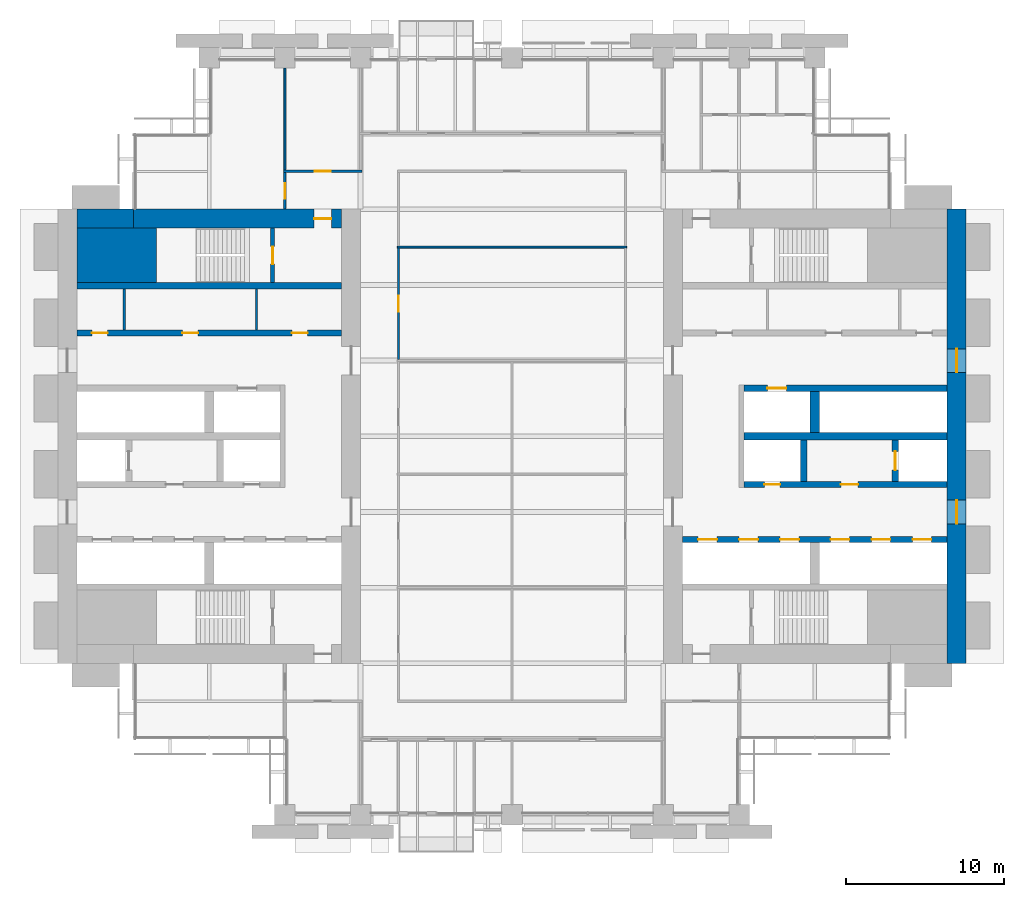
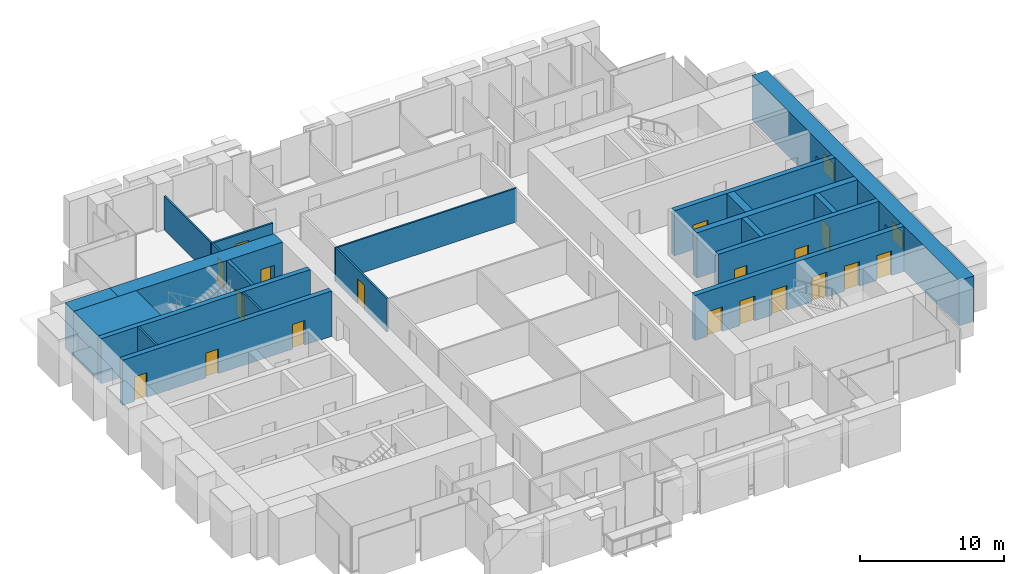
# One storey, part 11 of 15: 21 walls, 18 doors, 2 windows, 20 openings.
"""IFC4 building model written with IfcOpenShell, lengths in metres."""

import ifcopenshell
import ifcopenshell.guid

model = None  # the IFC model being written
_history = None  # IfcOwnerHistory: only IFC2X3 demands one
_inside = {}  # id of a spatial element -> (the spatial element, [elements in it])
_under = {}  # id of a project, library or spatial element -> (it, [spatial elements below it])
_declared = {}  # id of a project -> (the project, [libraries it declares])
_typed = {}  # id of a type object -> (the type object, [elements of that type])
_made_of = {}  # id of a material, layer set ... -> (it, [elements and type objects made of it])


def new_model(schema):
    """Start an empty IFC model of exactly this schema.

    Asked for "IFC4X3", IfcOpenShell would pick the latest addendum, in which some entities
    have other attributes; the version numbers below select the first issue.
    IFC2X3 requires an IfcOwnerHistory on every rooted entity: one is made here for all.
    """
    global model, _history
    if schema == "IFC4X3":
        model = ifcopenshell.file(schema_version=(4, 3, 0, 0))
    else:
        model = ifcopenshell.file(schema=schema)
    _inside.clear()
    _under.clear()
    _declared.clear()
    _typed.clear()
    _made_of.clear()
    _history = None
    if model.schema == "IFC2X3":
        org = make("IfcOrganization", Name="unknown")
        user = make(
            "IfcPersonAndOrganization",
            ThePerson=make("IfcPerson", FamilyName="unknown"),
            TheOrganization=org,
        )
        app = make(
            "IfcApplication",
            ApplicationDeveloper=org,
            Version="unknown",
            ApplicationFullName="unknown",
            ApplicationIdentifier="unknown",
        )
        _history = make(
            "IfcOwnerHistory",
            OwningUser=user,
            OwningApplication=app,
            ChangeAction="ADDED",
            CreationDate=0,
        )
    return model


def make(cls, **values):
    """One entity of the class cls with the attributes given. An attribute that is None is left unset."""
    return model.create_entity(
        cls, **{name: value for name, value in values.items() if value is not None}
    )


def rooted(cls, **values):
    """An entity with a GlobalId (a new one), such as an element, a storey or a relation."""
    return make(cls, GlobalId=ifcopenshell.guid.new(), OwnerHistory=_history, **values)


def si_unit(unit_type, name, prefix=None):
    """IfcSIUnit, for example si_unit("LENGTHUNIT", "METRE", prefix="MILLI")."""
    return make("IfcSIUnit", UnitType=unit_type, Prefix=prefix, Name=name)


def assignment(units):
    """IfcUnitAssignment: the units of a project."""
    return None if units is None else make("IfcUnitAssignment", Units=units)


def point(xyz):
    """IfcCartesianPoint."""
    return None if xyz is None else make("IfcCartesianPoint", Coordinates=xyz)


def direction(xyz):
    """IfcDirection."""
    return None if xyz is None else make("IfcDirection", DirectionRatios=xyz)


def frame(location, z_axis=None, x_axis=None):
    """IfcAxis2Placement3D, a coordinate frame: its origin and axes. An axis left out is left unset."""
    return make(
        "IfcAxis2Placement3D",
        Location=point(location),
        Axis=direction(z_axis),
        RefDirection=direction(x_axis),
    )


def frame_2d(location, x_axis=None):
    """IfcAxis2Placement2D, a coordinate frame in the plane: its origin and x axis."""
    return make(
        "IfcAxis2Placement2D", Location=point(location), RefDirection=direction(x_axis)
    )


def origin():
    """The frame at (0, 0, 0) with its axes left unset."""
    return frame((0.0, 0.0, 0.0))


def place(relative_to, where):
    """IfcLocalPlacement: puts the frame where relative to a parent placement (None: the world)."""
    return make(
        "IfcLocalPlacement", PlacementRelTo=relative_to, RelativePlacement=where
    )


def context(
    kind, dimensions, precision=None, world=None, true_north=None, identifier=None
):
    """IfcGeometricRepresentationContext, for example the 3D "Model" context."""
    return make(
        "IfcGeometricRepresentationContext",
        ContextIdentifier=identifier,
        ContextType=kind,
        CoordinateSpaceDimension=dimensions,
        Precision=precision,
        WorldCoordinateSystem=world,
        TrueNorth=true_north,
    )


def subcontext(parent, identifier, kind, view, scale=None):
    """IfcGeometricRepresentationSubContext, for example "Body" below "Model"."""
    return make(
        "IfcGeometricRepresentationSubContext",
        ContextIdentifier=identifier,
        ContextType=kind,
        ParentContext=parent,
        TargetScale=scale,
        TargetView=view,
    )


def project(units=None, contexts=None):
    """IfcProject with its units and contexts."""
    return rooted(
        "IfcProject",
        Name="project",
        RepresentationContexts=contexts,
        UnitsInContext=assignment(units),
    )


def spatial(cls, under=None, at=None, **own):
    """A site, building, storey or space (cls), placed at a placement, below another one or the project."""
    s = rooted(cls, ObjectPlacement=at, **own)
    if under is not None:
        _under.setdefault(under.id(), (under, []))[1].append(s)
    return s


def profile(cls, at=None, kind="AREA", **sizes):
    """A parametric profile (cls). Its sizes go by their IFC names, for example OverallWidth=200.0."""
    return make(cls, ProfileType=kind, Position=at, **sizes)


def rectangle(**sizes):
    """IfcRectangleProfileDef."""
    return profile("IfcRectangleProfileDef", **sizes)


def extrude(swept, where, along, depth):
    """IfcExtrudedAreaSolid: the profile swept, set in the frame where, extruded along a direction by depth."""
    return make(
        "IfcExtrudedAreaSolid",
        SweptArea=swept,
        Position=where,
        ExtrudedDirection=direction(along),
        Depth=depth,
    )


def shape(context_of_items, identifier, shape_type, items):
    """IfcShapeRepresentation: the items that make up one representation, for example the "Body"."""
    return make(
        "IfcShapeRepresentation",
        ContextOfItems=context_of_items,
        RepresentationIdentifier=identifier,
        RepresentationType=shape_type,
        Items=items,
    )


def material(Name=None, Category=None):
    """IfcMaterial."""
    return make("IfcMaterial", Name=Name, Category=Category)


def layer(
    of_material, thickness, ventilated=None, Name=None, Category=None, Priority=None
):
    """IfcMaterialLayer: one layer of a wall or slab, of a material (None: an air gap)."""
    return make(
        "IfcMaterialLayer",
        Material=of_material,
        LayerThickness=thickness,
        IsVentilated=ventilated,
        Name=Name,
        Category=Category,
        Priority=Priority,
    )


def layer_set(layers, Name=None):
    """IfcMaterialLayerSet."""
    return make("IfcMaterialLayerSet", MaterialLayers=layers, LayerSetName=Name)


def made_of(thing, what):
    """Note that an element or type object is made of a material, layer set ...; save() writes the relation."""
    if what is not None:
        _made_of.setdefault(what.id(), (what, []))[1].append(thing)
    return thing


def type_object(cls, material=None, **own):
    """A type object (cls), such as IfcWallType, which elements share."""
    return made_of(rooted(cls, **own), material)


def element(
    cls,
    number,
    at=None,
    inside=None,
    cuts=None,
    type_object=None,
    material=None,
    context=None,
    identifier="Body",
    shape_type=None,
    held_by="IfcProductDefinitionShape",
    body=None,
    shapes=None,
    **own,
):
    """One element of the class cls, such as IfcWall. Its Tag is "e" and its number.

    at: its placement. inside: the storey or other place that contains it. cuts: it is an
    opening in that element (IfcRelVoidsElement). A single representation is given by context,
    identifier, shape_type and body (its items); several are given by shapes. held_by: the class
    of the entity that holds the representations. save() writes the other relations.
    """
    e = rooted(cls, Tag="e%d" % number, ObjectPlacement=at, **own)
    if body is not None:
        shapes = [shape(context, identifier, shape_type, body)]
    if shapes is not None:
        e.Representation = make(held_by, Representations=shapes)
    if inside is not None:
        _inside.setdefault(inside.id(), (inside, []))[1].append(e)
    if cuts is not None:
        rooted(
            "IfcRelVoidsElement", RelatingBuildingElement=cuts, RelatedOpeningElement=e
        )
    if type_object is not None:
        _typed.setdefault(type_object.id(), (type_object, []))[1].append(e)
    return made_of(e, material)


def fill(opening, filler):
    """IfcRelFillsElement: the door or window that sits in an opening."""
    return rooted(
        "IfcRelFillsElement",
        RelatingOpeningElement=opening,
        RelatedBuildingElement=filler,
    )


def aggregate(whole, parts):
    """IfcRelAggregates: a whole, such as a stair, and the parts it consists of."""
    return rooted("IfcRelAggregates", RelatingObject=whole, RelatedObjects=parts)


def save(model, path):
    """Write the relations noted so far, then the file.

    IfcRelAggregates (storeys below a building ...), IfcRelContainedInSpatialStructure (elements
    in a storey), IfcRelDefinesByType, IfcRelAssociatesMaterial and IfcRelDeclares: one each for
    every whole, place, type object, material and project.
    """
    for whole, parts in _under.values():
        aggregate(whole, parts)
    for where, things in _inside.values():
        rooted(
            "IfcRelContainedInSpatialStructure",
            RelatedElements=things,
            RelatingStructure=where,
        )
    for kind, things in _typed.values():
        rooted("IfcRelDefinesByType", RelatedObjects=things, RelatingType=kind)
    for what, things in _made_of.values():
        rooted("IfcRelAssociatesMaterial", RelatedObjects=things, RelatingMaterial=what)
    for by, libraries in _declared.values():
        rooted("IfcRelDeclares", RelatingContext=by, RelatedDefinitions=libraries)
    model.write(path)


model = new_model("IFC4")

# Units and contexts
model_context = context("Model", 3, precision=1e-05, world=origin(), true_north=direction((0.0, 1.0)))
body_context = subcontext(model_context, "Body", "Model", "MODEL_VIEW")
ifc_project = project(units=[si_unit("LENGTHUNIT", "METRE"), si_unit("AREAUNIT", "SQUARE_METRE"), si_unit("VOLUMEUNIT", "CUBIC_METRE"), si_unit("PLANEANGLEUNIT", "RADIAN"), si_unit("MASSUNIT", "GRAM", prefix="KILO")], contexts=[model_context])

# Site, building, storey
site_placement = place(None, origin())
site = spatial("IfcSite", under=ifc_project, at=site_placement, CompositionType="ELEMENT")
building_placement = place(site_placement, origin())
building = spatial("IfcBuilding", under=site, at=building_placement, Name="Baori Bourse Tower", CompositionType="ELEMENT")
storey_placement = place(building_placement, frame((0.0, 0.0, 71.0)))
storey = spatial("IfcBuildingStorey", under=building, at=storey_placement, Name="L15", CompositionType="ELEMENT", Elevation=71.0)

# Walls
ifc_material_1 = material(Name="Concrete f'c 70 MPa", Category="concrete")
wall_type_1 = type_object("IfcWallType", Name="Core corner block f'c 70", PredefinedType="SHEAR", material=ifc_material_1)
wall_1_placement = place(storey_placement, frame((1.199951171875, 35.47509765625, 0.0), z_axis=(0.0, 0.0, 1.0), x_axis=(1.0, 0.0, 0.0)))
element("IfcWall", 1, at=wall_1_placement, inside=storey, type_object=wall_type_1, Name="Core wall W21", PredefinedType="SHEAR", context=body_context, shape_type="SweptSolid", body=[
    extrude(rectangle(XDim=5.050048828125, YDim=3.449951171875, at=frame_2d((2.52490234375, 0.0))), origin(), (0.0, 0.0, 1.0), 3.840087890625),
])
ifc_material_2 = material(Name="Blockwork partition", Category="masonry")
ifc_layer_1 = layer(ifc_material_2, 0.14990234375)
ifc_layer_set_1 = layer_set([ifc_layer_1], Name="Core partition 150")
wall_type_2 = type_object("IfcWallType", Name="Core partition 150", PredefinedType="PARTITIONING", material=ifc_layer_set_1)
for number, where, z_axis, x_axis, name in (
    (2, (4.199951171875, 30.75, 0.0), (0.0, 0.0, 1.0), (0.0, 1.0, 0.0), "Partition wall W18"),
    (3, (12.60009765625, 30.75, 0.0), (0.0, 0.0, 1.0), (0.0, 1.0, 0.0), "Partition wall W19"),
):
    element("IfcWall", number, at=place(storey_placement, frame(where, z_axis=z_axis, x_axis=x_axis)), inside=storey, type_object=wall_type_2, Name=name, PredefinedType="PARTITIONING", context=body_context, shape_type="SweptSolid", body=[
        extrude(rectangle(XDim=2.60009765625, YDim=0.14990234375, at=frame_2d((1.300048828125, 0.0))), origin(), (0.0, 0.0, 1.0), 3.840087890625),
    ])
ifc_material_3 = material(Name="Concrete f'c 70 MPa", Category="concrete")
ifc_layer_2 = layer(ifc_material_3, 1.199951171875)
ifc_layer_set_2 = layer_set([ifc_layer_2], Name="Core wall 1200 f'c 70")
wall_type_3 = type_object("IfcWallType", Name="Core wall 1200 f'c 70", PredefinedType="SHEAR", material=ifc_layer_set_2)
wall_2_placement = place(storey_placement, frame((1.199951171875, 37.800048828125, 0.0), z_axis=(0.0, 0.0, 1.0), x_axis=(1.0, 0.0, 0.0)))
element("IfcWall", 4, at=wall_2_placement, inside=storey, type_object=wall_type_3, Name="Core wall W23", PredefinedType="SHEAR", context=body_context, shape_type="SweptSolid", body=[
    extrude(rectangle(XDim=3.60009765625, YDim=1.199951171875, at=frame_2d((1.800048828125, 0.0))), origin(), (0.0, 0.0, 1.0), 3.840087890625),
])

# Wall, opening, door
wall_3_placement = place(storey_placement, frame((4.800048828125, 37.800048828125, 0.0), z_axis=(0.0, 0.0, 1.0), x_axis=(1.0, 0.0, 0.0)))
wall_3 = element("IfcWall", 5, at=wall_3_placement, inside=storey, type_object=wall_type_3, Name="Core wall W24", PredefinedType="SHEAR", context=body_context, shape_type="SweptSolid", body=[
    extrude(rectangle(XDim=13.199951171875, YDim=1.199951171875, at=frame_2d((6.60009765625, 0.0))), origin(), (0.0, 0.0, 1.0), 3.840087890625),
])
opening_1_placement = place(wall_3_placement, frame((11.449951171875, 0.0, 0.0)))
opening_1 = element("IfcOpeningElement", 6, at=opening_1_placement, cuts=wall_3, Name="Opening L15-D104", PredefinedType="OPENING", context=body_context, shape_type="SweptSolid", body=[
    extrude(rectangle(XDim=1.10009765625, YDim=2.10009765625, at=frame_2d((0.550048828125, 1.050048828125))), frame((0.0, 0.60986328125, 0.0), z_axis=(0.0, -1.0, 0.0), x_axis=(1.0, 0.0, 0.0)), (0.0, 0.0, 1.0), 1.219970703125),
])
ifc_material_4 = material(Name="Painted steel door", Category="steel")
door_type_1 = type_object("IfcDoorType", Name="Stair door 1100", OperationType="SINGLE_SWING_LEFT", PredefinedType="DOOR", material=ifc_material_4)
door_1_placement = place(opening_1_placement, origin())
door_1 = element("IfcDoor", 7, at=door_1_placement, inside=storey, type_object=door_type_1, Name="Stair vestibule door B W L15", OperationType="SINGLE_SWING_LEFT", OverallHeight=2.10009765625, OverallWidth=1.10009765625, PredefinedType="DOOR", context=body_context, shape_type="SweptSolid", body=[
    extrude(rectangle(XDim=1.10009765625, YDim=2.10009765625, at=frame_2d((0.550048828125, 1.050048828125))), frame((0.0, 0.02490234375, 0.0), z_axis=(0.0, -1.0, 0.0), x_axis=(1.0, 0.0, 0.0)), (0.0, 0.0, 1.0), 0.050048828125),
])
fill(opening_1, door_1)

# Wall, openings, windows
wall_4_placement = place(storey_placement, frame((57.0, 38.39990234375, 0.0), z_axis=(0.0, 0.0, 1.0), x_axis=(0.0, -1.0, 0.0)))
wall_4 = element("IfcWall", 8, at=wall_4_placement, inside=storey, type_object=wall_type_3, Name="Core wall E01", PredefinedType="SHEAR", context=body_context, shape_type="SweptSolid", body=[
    extrude(rectangle(XDim=28.7998046875, YDim=1.199951171875, at=frame_2d((14.39990234375, 0.0))), origin(), (0.0, 0.0, 1.0), 3.840087890625),
])
opening_2_placement = place(wall_4_placement, frame((18.449951171875, 0.0, 0.89990234375)))
opening_2 = element("IfcOpeningElement", 9, at=opening_2_placement, cuts=wall_4, Name="Opening L15-KW201", PredefinedType="OPENING", context=body_context, shape_type="SweptSolid", body=[
    extrude(rectangle(XDim=1.5, YDim=1.5, at=frame_2d((0.75, 0.75))), frame((0.0, 0.60986328125, 0.0), z_axis=(0.0, -1.0, 0.0), x_axis=(1.0, 0.0, 0.0)), (0.0, 0.0, 1.0), 1.219970703125),
])
opening_3_placement = place(wall_4_placement, frame((8.85009765625, 0.0, 0.89990234375)))
opening_3 = element("IfcOpeningElement", 10, at=opening_3_placement, cuts=wall_4, Name="Opening L15-KW202", PredefinedType="OPENING", context=body_context, shape_type="SweptSolid", body=[
    extrude(rectangle(XDim=1.5, YDim=1.5, at=frame_2d((0.75, 0.75))), frame((0.0, 0.60986328125, 0.0), z_axis=(0.0, -1.0, 0.0), x_axis=(1.0, 0.0, 0.0)), (0.0, 0.0, 1.0), 1.219970703125),
])
ifc_material_5 = material(Name="Pale anodised aluminium", Category="aluminium")
window_type = type_object("IfcWindowType", Name="Lobby window 1500 x 1500", PartitioningType="SINGLE_PANEL", PredefinedType="WINDOW", material=ifc_material_5)
window_1_placement = place(opening_2_placement, origin())
window_1 = element("IfcWindow", 11, at=window_1_placement, inside=storey, type_object=window_type, Name="Outer wall window E L15 1", OverallHeight=1.5, OverallWidth=1.5, PartitioningType="SINGLE_PANEL", PredefinedType="WINDOW", context=body_context, shape_type="SweptSolid", body=[
    extrude(rectangle(XDim=1.5, YDim=1.5, at=frame_2d((0.75, 0.75))), frame((0.0, 0.030029296875, 0.0), z_axis=(0.0, -1.0, 0.0), x_axis=(1.0, 0.0, 0.0)), (0.0, 0.0, 1.0), 0.06005859375),
])
fill(opening_2, window_1)
window_2_placement = place(opening_3_placement, origin())
window_2 = element("IfcWindow", 12, at=window_2_placement, inside=storey, type_object=window_type, Name="Outer wall window E L15 2", OverallHeight=1.5, OverallWidth=1.5, PartitioningType="SINGLE_PANEL", PredefinedType="WINDOW", context=body_context, shape_type="SweptSolid", body=[
    extrude(rectangle(XDim=1.5, YDim=1.5, at=frame_2d((0.75, 0.75))), frame((0.0, 0.030029296875, 0.0), z_axis=(0.0, -1.0, 0.0), x_axis=(1.0, 0.0, 0.0)), (0.0, 0.0, 1.0), 0.06005859375),
])
fill(opening_3, window_2)

# Wall, opening, door
ifc_material_6 = material(Name="Gypsum board partition")
ifc_layer_3 = layer(ifc_material_6, 0.14990234375)
ifc_layer_set_3 = layer_set([ifc_layer_3], Name="Corridor partition 150")
wall_type_4 = type_object("IfcWallType", Name="Corridor partition 150", PredefinedType="PARTITIONING", material=ifc_layer_set_3)
wall_5_placement = place(storey_placement, frame((14.324951171875, 40.800048828125, 0.0), z_axis=(0.0, 0.0, 1.0), x_axis=(1.0, 0.0, 0.0)))
wall_5 = element("IfcWall", 13, at=wall_5_placement, inside=storey, type_object=wall_type_4, Name="Partition", PredefinedType="PARTITIONING", context=body_context, shape_type="SweptSolid", body=[
    extrude(rectangle(XDim=4.949951171875, YDim=0.14990234375, at=frame_2d((2.47509765625, 0.0))), origin(), (0.0, 0.0, 1.0), 2.86962890625),
])
opening_4_placement = place(wall_5_placement, frame((1.97509765625, 0.0, 0.0)))
opening_4 = element("IfcOpeningElement", 14, at=opening_4_placement, cuts=wall_5, Name="Opening L15-D07", PredefinedType="OPENING", context=body_context, shape_type="SweptSolid", body=[
    extrude(rectangle(XDim=1.0, YDim=2.10009765625, at=frame_2d((0.5, 1.050048828125))), frame((0.0, 0.0849609375, 0.0), z_axis=(0.0, -1.0, 0.0), x_axis=(1.0, 0.0, 0.0)), (0.0, 0.0, 1.0), 0.169921875),
])
ifc_material_7 = material(Name="Timber door leaf", Category="wood")
door_type_2 = type_object("IfcDoorType", Name="Door 1000 x 2100", OperationType="SINGLE_SWING_LEFT", PredefinedType="DOOR", material=ifc_material_7)
door_2_placement = place(opening_4_placement, origin())
door_2 = element("IfcDoor", 15, at=door_2_placement, inside=storey, type_object=door_type_2, Name="Door", OperationType="SINGLE_SWING_LEFT", OverallHeight=2.10009765625, OverallWidth=1.0, PredefinedType="DOOR", context=body_context, shape_type="SweptSolid", body=[
    extrude(rectangle(XDim=1.0, YDim=2.10009765625, at=frame_2d((0.5, 1.050048828125))), frame((0.0, 0.02490234375, 0.0), z_axis=(0.0, -1.0, 0.0), x_axis=(1.0, 0.0, 0.0)), (0.0, 0.0, 1.0), 0.050048828125),
])
fill(opening_4, door_2)

wall_6_placement = place(storey_placement, frame((14.39990234375, 38.39990234375, 0.0), z_axis=(0.0, 0.0, 1.0), x_axis=(0.0, 1.0, 0.0)))
wall_6 = element("IfcWall", 16, at=wall_6_placement, inside=storey, type_object=wall_type_4, Name="Partition", PredefinedType="PARTITIONING", context=body_context, shape_type="SweptSolid", body=[
    extrude(rectangle(XDim=2.3251953125, YDim=0.14990234375, at=frame_2d((1.16259765625, 0.0))), origin(), (0.0, 0.0, 1.0), 2.86962890625),
])
opening_5_placement = place(wall_6_placement, frame((0.66259765625, 0.0, 0.0)))
opening_5 = element("IfcOpeningElement", 17, at=opening_5_placement, cuts=wall_6, Name="Opening L15-D18", PredefinedType="OPENING", context=body_context, shape_type="SweptSolid", body=[
    extrude(rectangle(XDim=1.0, YDim=2.10009765625, at=frame_2d((0.5, 1.050048828125))), frame((0.0, 0.0849609375, 0.0), z_axis=(0.0, -1.0, 0.0), x_axis=(1.0, 0.0, 0.0)), (0.0, 0.0, 1.0), 0.169921875),
])
door_3_placement = place(opening_5_placement, origin())
door_3 = element("IfcDoor", 18, at=door_3_placement, inside=storey, type_object=door_type_2, Name="Door", OperationType="SINGLE_SWING_RIGHT", OverallHeight=2.10009765625, OverallWidth=1.0, PredefinedType="DOOR", context=body_context, shape_type="SweptSolid", body=[
    extrude(rectangle(XDim=1.0, YDim=2.10009765625, at=frame_2d((0.5, 1.050048828125))), frame((0.0, 0.02490234375, 0.0), z_axis=(0.0, -1.0, 0.0), x_axis=(1.0, 0.0, 0.0)), (0.0, 0.0, 1.0), 0.050048828125),
])
fill(opening_5, door_3)

wall_7_placement = place(storey_placement, frame((21.60009765625, 28.862548828125, 0.0), z_axis=(0.0, 0.0, 1.0), x_axis=(0.0, 1.0, 0.0)))
wall_7 = element("IfcWall", 19, at=wall_7_placement, inside=storey, type_object=wall_type_4, Name="Partition", PredefinedType="PARTITIONING", context=body_context, shape_type="SweptSolid", body=[
    extrude(rectangle(XDim=7.074951171875, YDim=0.14990234375, at=frame_2d((3.53759765625, 0.0))), origin(), (0.0, 0.0, 1.0), 2.86962890625),
])
opening_6_placement = place(wall_7_placement, frame((3.03759765625, 0.0, 0.0)))
opening_6 = element("IfcOpeningElement", 20, at=opening_6_placement, cuts=wall_7, Name="Opening L15-D22", PredefinedType="OPENING", context=body_context, shape_type="SweptSolid", body=[
    extrude(rectangle(XDim=1.0, YDim=2.10009765625, at=frame_2d((0.5, 1.050048828125))), frame((0.0, 0.0849609375, 0.0), z_axis=(0.0, -1.0, 0.0), x_axis=(1.0, 0.0, 0.0)), (0.0, 0.0, 1.0), 0.169921875),
])
door_4_placement = place(opening_6_placement, origin())
door_4 = element("IfcDoor", 21, at=door_4_placement, inside=storey, type_object=door_type_2, Name="Door", OperationType="SINGLE_SWING_LEFT", OverallHeight=2.10009765625, OverallWidth=1.0, PredefinedType="DOOR", context=body_context, shape_type="SweptSolid", body=[
    extrude(rectangle(XDim=1.0, YDim=2.10009765625, at=frame_2d((0.5, 1.050048828125))), frame((0.0, 0.02490234375, 0.0), z_axis=(0.0, -1.0, 0.0), x_axis=(1.0, 0.0, 0.0)), (0.0, 0.0, 1.0), 0.050048828125),
])
fill(opening_6, door_4)

# Walls
ifc_material_8 = material(Name="Gypsum board partition")
ifc_layer_4 = layer(ifc_material_8, 0.125)
ifc_layer_set_4 = layer_set([ifc_layer_4], Name="Partition 125")
wall_type_5 = type_object("IfcWallType", Name="Partition 125", PredefinedType="PARTITIONING", material=ifc_layer_set_4)
wall_8_placement = place(storey_placement, frame((21.52490234375, 36.0, 0.0), z_axis=(0.0, 0.0, 1.0), x_axis=(1.0, 0.0, 0.0)))
element("IfcWall", 22, at=wall_8_placement, inside=storey, type_object=wall_type_5, Name="Partition", PredefinedType="PARTITIONING", context=body_context, shape_type="SweptSolid", body=[
    extrude(rectangle(XDim=14.550048828125, YDim=0.125, at=frame_2d((7.27490234375, 0.0))), origin(), (0.0, 0.0, 1.0), 2.86962890625),
])
wall_9_placement = place(storey_placement, frame((14.39990234375, 40.875, 0.0), z_axis=(0.0, 0.0, 1.0), x_axis=(0.0, 1.0, 0.0)))
element("IfcWall", 23, at=wall_9_placement, inside=storey, type_object=wall_type_5, Name="Partition", PredefinedType="PARTITIONING", context=body_context, shape_type="SweptSolid", body=[
    extrude(rectangle(XDim=6.47509765625, YDim=0.125, at=frame_2d((3.237548828125, 0.0))), origin(), (0.0, 0.0, 1.0), 2.86962890625),
])

# Wall, opening, door
ifc_material_9 = material(Name="Concrete f'c 70 MPa", Category="concrete")
ifc_layer_5 = layer(ifc_material_9, 0.25)
ifc_layer_set_5 = layer_set([ifc_layer_5], Name="Shaft wall 250 f'c 70")
wall_type_6 = type_object("IfcWallType", Name="Shaft wall 250 f'c 70", PredefinedType="SHEAR", material=ifc_layer_set_5)
wall_10_placement = place(storey_placement, frame((13.625, 33.75, 0.0), z_axis=(0.0, 0.0, 1.0), x_axis=(0.0, 1.0, 0.0)))
wall_10 = element("IfcWall", 24, at=wall_10_placement, inside=storey, type_object=wall_type_6, Name="Core wall W22", PredefinedType="SHEAR", context=body_context, shape_type="SweptSolid", body=[
    extrude(rectangle(XDim=3.449951171875, YDim=0.25, at=frame_2d((1.72509765625, 0.0))), origin(), (0.0, 0.0, 1.0), 3.840087890625),
])
opening_7_placement = place(wall_10_placement, frame((1.175048828125, 0.0, 0.0)))
opening_7 = element("IfcOpeningElement", 25, at=opening_7_placement, cuts=wall_10, Name="Opening L15-D103", PredefinedType="OPENING", context=body_context, shape_type="SweptSolid", body=[
    extrude(rectangle(XDim=1.10009765625, YDim=2.10009765625, at=frame_2d((0.550048828125, 1.050048828125))), frame((0.0, 0.135009765625, 0.0), z_axis=(0.0, -1.0, 0.0), x_axis=(1.0, 0.0, 0.0)), (0.0, 0.0, 1.0), 0.27001953125),
])
door_5_placement = place(opening_7_placement, origin())
door_5 = element("IfcDoor", 26, at=door_5_placement, inside=storey, type_object=door_type_1, Name="Stair door B W L15", OperationType="SINGLE_SWING_LEFT", OverallHeight=2.10009765625, OverallWidth=1.10009765625, PredefinedType="DOOR", context=body_context, shape_type="SweptSolid", body=[
    extrude(rectangle(XDim=1.10009765625, YDim=2.10009765625, at=frame_2d((0.550048828125, 1.050048828125))), frame((0.0, 0.02490234375, 0.0), z_axis=(0.0, -1.0, 0.0), x_axis=(1.0, 0.0, 0.0)), (0.0, 0.0, 1.0), 0.050048828125),
])
fill(opening_7, door_5)

# Wall, openings, doors
ifc_material_10 = material(Name="Concrete f'c 70 MPa", Category="concrete")
ifc_layer_6 = layer(ifc_material_10, 0.39990234375)
ifc_layer_set_6 = layer_set([ifc_layer_6], Name="Shaft wall 400 f'c 70")
wall_type_7 = type_object("IfcWallType", Name="Shaft wall 400 f'c 70", PredefinedType="SHEAR", material=ifc_layer_set_6)
wall_11_placement = place(storey_placement, frame((1.199951171875, 30.550048828125, 0.0), z_axis=(0.0, 0.0, 1.0), x_axis=(1.0, 0.0, 0.0)))
wall_11 = element("IfcWall", 27, at=wall_11_placement, inside=storey, type_object=wall_type_7, Name="Core wall W17", PredefinedType="SHEAR", context=body_context, shape_type="SweptSolid", body=[
    extrude(rectangle(XDim=16.800048828125, YDim=0.39990234375, at=frame_2d((8.39990234375, 0.0))), origin(), (0.0, 0.0, 1.0), 3.840087890625),
])
opening_8_placement = place(wall_11_placement, frame((0.96240234375, 0.0, 0.0)))
opening_8 = element("IfcOpeningElement", 28, at=opening_8_placement, cuts=wall_11, Name="Opening L15-D109", PredefinedType="OPENING", context=body_context, shape_type="SweptSolid", body=[
    extrude(rectangle(XDim=1.0, YDim=2.10009765625, at=frame_2d((0.5, 1.050048828125))), frame((0.0, 0.2099609375, 0.0), z_axis=(0.0, -1.0, 0.0), x_axis=(1.0, 0.0, 0.0)), (0.0, 0.0, 1.0), 0.419921875),
])
opening_9_placement = place(wall_11_placement, frame((6.699951171875, 0.0, 0.0)))
opening_9 = element("IfcOpeningElement", 29, at=opening_9_placement, cuts=wall_11, Name="Opening L15-D110", PredefinedType="OPENING", context=body_context, shape_type="SweptSolid", body=[
    extrude(rectangle(XDim=1.0, YDim=2.10009765625, at=frame_2d((0.5, 1.050048828125))), frame((0.0, 0.2099609375, 0.0), z_axis=(0.0, -1.0, 0.0), x_axis=(1.0, 0.0, 0.0)), (0.0, 0.0, 1.0), 0.419921875),
])
opening_10_placement = place(wall_11_placement, frame((13.637451171875, 0.0, 0.0)))
opening_10 = element("IfcOpeningElement", 30, at=opening_10_placement, cuts=wall_11, Name="Opening L15-D111", PredefinedType="OPENING", context=body_context, shape_type="SweptSolid", body=[
    extrude(rectangle(XDim=1.0, YDim=2.10009765625, at=frame_2d((0.5, 1.050048828125))), frame((0.0, 0.2099609375, 0.0), z_axis=(0.0, -1.0, 0.0), x_axis=(1.0, 0.0, 0.0)), (0.0, 0.0, 1.0), 0.419921875),
])
ifc_material_11 = material(Name="Painted steel door", Category="steel")
door_type_3 = type_object("IfcDoorType", Name="Core door 1000", OperationType="SINGLE_SWING_LEFT", PredefinedType="DOOR", material=ifc_material_11)
door_6_placement = place(opening_8_placement, origin())
door_6 = element("IfcDoor", 31, at=door_6_placement, inside=storey, type_object=door_type_3, Name="Accessible Wc door W L15", OperationType="SINGLE_SWING_LEFT", OverallHeight=2.10009765625, OverallWidth=1.0, PredefinedType="DOOR", context=body_context, shape_type="SweptSolid", body=[
    extrude(rectangle(XDim=1.0, YDim=2.10009765625, at=frame_2d((0.5, 1.050048828125))), frame((0.0, 0.02490234375, 0.0), z_axis=(0.0, -1.0, 0.0), x_axis=(1.0, 0.0, 0.0)), (0.0, 0.0, 1.0), 0.050048828125),
])
fill(opening_8, door_6)
door_7_placement = place(opening_9_placement, origin())
door_7 = element("IfcDoor", 32, at=door_7_placement, inside=storey, type_object=door_type_3, Name="Men'S Wc door W L15", OperationType="SINGLE_SWING_LEFT", OverallHeight=2.10009765625, OverallWidth=1.0, PredefinedType="DOOR", context=body_context, shape_type="SweptSolid", body=[
    extrude(rectangle(XDim=1.0, YDim=2.10009765625, at=frame_2d((0.5, 1.050048828125))), frame((0.0, 0.02490234375, 0.0), z_axis=(0.0, -1.0, 0.0), x_axis=(1.0, 0.0, 0.0)), (0.0, 0.0, 1.0), 0.050048828125),
])
fill(opening_9, door_7)
door_8_placement = place(opening_10_placement, origin())
door_8 = element("IfcDoor", 33, at=door_8_placement, inside=storey, type_object=door_type_3, Name="Women'S Wc door W L15", OperationType="SINGLE_SWING_LEFT", OverallHeight=2.10009765625, OverallWidth=1.0, PredefinedType="DOOR", context=body_context, shape_type="SweptSolid", body=[
    extrude(rectangle(XDim=1.0, YDim=2.10009765625, at=frame_2d((0.5, 1.050048828125))), frame((0.0, 0.02490234375, 0.0), z_axis=(0.0, -1.0, 0.0), x_axis=(1.0, 0.0, 0.0)), (0.0, 0.0, 1.0), 0.050048828125),
])
fill(opening_10, door_8)

# Wall
wall_12_placement = place(storey_placement, frame((1.199951171875, 33.550048828125, 0.0), z_axis=(0.0, 0.0, 1.0), x_axis=(1.0, 0.0, 0.0)))
element("IfcWall", 34, at=wall_12_placement, inside=storey, type_object=wall_type_7, Name="Core wall W20", PredefinedType="SHEAR", context=body_context, shape_type="SweptSolid", body=[
    extrude(rectangle(XDim=16.800048828125, YDim=0.39990234375, at=frame_2d((8.39990234375, 0.0))), origin(), (0.0, 0.0, 1.0), 3.840087890625),
])

# Wall, openings, doors
wall_13_placement = place(storey_placement, frame((39.60009765625, 17.449951171875, 0.0), z_axis=(0.0, 0.0, 1.0), x_axis=(1.0, 0.0, 0.0)))
wall_13 = element("IfcWall", 35, at=wall_13_placement, inside=storey, type_object=wall_type_7, Name="Core wall E09", PredefinedType="SHEAR", context=body_context, shape_type="SweptSolid", body=[
    extrude(rectangle(XDim=16.7998046875, YDim=0.39990234375, at=frame_2d((8.39990234375, 0.0))), origin(), (0.0, 0.0, 1.0), 3.840087890625),
])
opening_11_placement = place(wall_13_placement, frame((14.60009765625, 0.0, 0.0)))
opening_11 = element("IfcOpeningElement", 36, at=opening_11_placement, cuts=wall_13, Name="Opening L15-D212", PredefinedType="OPENING", context=body_context, shape_type="SweptSolid", body=[
    extrude(rectangle(XDim=1.199951171875, YDim=2.10009765625, at=frame_2d((0.60009765625, 1.050048828125))), frame((0.0, 0.2099609375, 0.0), z_axis=(0.0, -1.0, 0.0), x_axis=(1.0, 0.0, 0.0)), (0.0, 0.0, 1.0), 0.419921875),
])
opening_12_placement = place(wall_13_placement, frame((12.0, 0.0, 0.0)))
opening_12 = element("IfcOpeningElement", 37, at=opening_12_placement, cuts=wall_13, Name="Opening L15-D213", PredefinedType="OPENING", context=body_context, shape_type="SweptSolid", body=[
    extrude(rectangle(XDim=1.199951171875, YDim=2.10009765625, at=frame_2d((0.60009765625, 1.050048828125))), frame((0.0, 0.2099609375, 0.0), z_axis=(0.0, -1.0, 0.0), x_axis=(1.0, 0.0, 0.0)), (0.0, 0.0, 1.0), 0.419921875),
])
opening_13_placement = place(wall_13_placement, frame((9.39990234375, 0.0, 0.0)))
opening_13 = element("IfcOpeningElement", 38, at=opening_13_placement, cuts=wall_13, Name="Opening L15-D214", PredefinedType="OPENING", context=body_context, shape_type="SweptSolid", body=[
    extrude(rectangle(XDim=1.199951171875, YDim=2.10009765625, at=frame_2d((0.60009765625, 1.050048828125))), frame((0.0, 0.2099609375, 0.0), z_axis=(0.0, -1.0, 0.0), x_axis=(1.0, 0.0, 0.0)), (0.0, 0.0, 1.0), 0.419921875),
])
opening_14_placement = place(wall_13_placement, frame((6.199951171875, 0.0, 0.0)))
opening_14 = element("IfcOpeningElement", 39, at=opening_14_placement, cuts=wall_13, Name="Opening L15-D215", PredefinedType="OPENING", context=body_context, shape_type="SweptSolid", body=[
    extrude(rectangle(XDim=1.199951171875, YDim=2.10009765625, at=frame_2d((0.60009765625, 1.050048828125))), frame((0.0, 0.2099609375, 0.0), z_axis=(0.0, -1.0, 0.0), x_axis=(1.0, 0.0, 0.0)), (0.0, 0.0, 1.0), 0.419921875),
])
opening_15_placement = place(wall_13_placement, frame((3.60009765625, 0.0, 0.0)))
opening_15 = element("IfcOpeningElement", 40, at=opening_15_placement, cuts=wall_13, Name="Opening L15-D216", PredefinedType="OPENING", context=body_context, shape_type="SweptSolid", body=[
    extrude(rectangle(XDim=1.199951171875, YDim=2.10009765625, at=frame_2d((0.60009765625, 1.050048828125))), frame((0.0, 0.2099609375, 0.0), z_axis=(0.0, -1.0, 0.0), x_axis=(1.0, 0.0, 0.0)), (0.0, 0.0, 1.0), 0.419921875),
])
opening_16_placement = place(wall_13_placement, frame((1.0, 0.0, 0.0)))
opening_16 = element("IfcOpeningElement", 41, at=opening_16_placement, cuts=wall_13, Name="Opening L15-D217", PredefinedType="OPENING", context=body_context, shape_type="SweptSolid", body=[
    extrude(rectangle(XDim=1.199951171875, YDim=2.10009765625, at=frame_2d((0.60009765625, 1.050048828125))), frame((0.0, 0.2099609375, 0.0), z_axis=(0.0, -1.0, 0.0), x_axis=(1.0, 0.0, 0.0)), (0.0, 0.0, 1.0), 0.419921875),
])
ifc_material_12 = material(Name="Stainless steel door", Category="steel")
door_type_4 = type_object("IfcDoorType", Name="Lift landing door", OperationType="DOUBLE_DOOR_SLIDING", PredefinedType="DOOR", material=ifc_material_12)
door_9_placement = place(opening_11_placement, origin())
door_9 = element("IfcDoor", 42, at=door_9_placement, inside=storey, type_object=door_type_4, Name="Lift landing door LR1 E L15", OperationType="DOUBLE_DOOR_SLIDING", OverallHeight=2.10009765625, OverallWidth=1.199951171875, PredefinedType="DOOR", context=body_context, shape_type="SweptSolid", body=[
    extrude(rectangle(XDim=1.199951171875, YDim=2.10009765625, at=frame_2d((0.60009765625, 1.050048828125))), frame((0.0, 0.02490234375, 0.0), z_axis=(0.0, -1.0, 0.0), x_axis=(1.0, 0.0, 0.0)), (0.0, 0.0, 1.0), 0.050048828125),
])
fill(opening_11, door_9)
door_10_placement = place(opening_12_placement, origin())
door_10 = element("IfcDoor", 43, at=door_10_placement, inside=storey, type_object=door_type_4, Name="Lift landing door LR2 E L15", OperationType="DOUBLE_DOOR_SLIDING", OverallHeight=2.10009765625, OverallWidth=1.199951171875, PredefinedType="DOOR", context=body_context, shape_type="SweptSolid", body=[
    extrude(rectangle(XDim=1.199951171875, YDim=2.10009765625, at=frame_2d((0.60009765625, 1.050048828125))), frame((0.0, 0.02490234375, 0.0), z_axis=(0.0, -1.0, 0.0), x_axis=(1.0, 0.0, 0.0)), (0.0, 0.0, 1.0), 0.050048828125),
])
fill(opening_12, door_10)
door_11_placement = place(opening_13_placement, origin())
door_11 = element("IfcDoor", 44, at=door_11_placement, inside=storey, type_object=door_type_4, Name="Lift landing door LR3 E L15", OperationType="DOUBLE_DOOR_SLIDING", OverallHeight=2.10009765625, OverallWidth=1.199951171875, PredefinedType="DOOR", context=body_context, shape_type="SweptSolid", body=[
    extrude(rectangle(XDim=1.199951171875, YDim=2.10009765625, at=frame_2d((0.60009765625, 1.050048828125))), frame((0.0, 0.02490234375, 0.0), z_axis=(0.0, -1.0, 0.0), x_axis=(1.0, 0.0, 0.0)), (0.0, 0.0, 1.0), 0.050048828125),
])
fill(opening_13, door_11)
door_12_placement = place(opening_14_placement, origin())
door_12 = element("IfcDoor", 45, at=door_12_placement, inside=storey, type_object=door_type_4, Name="Lift landing door LR4 E L15", OperationType="DOUBLE_DOOR_SLIDING", OverallHeight=2.10009765625, OverallWidth=1.199951171875, PredefinedType="DOOR", context=body_context, shape_type="SweptSolid", body=[
    extrude(rectangle(XDim=1.199951171875, YDim=2.10009765625, at=frame_2d((0.60009765625, 1.050048828125))), frame((0.0, 0.02490234375, 0.0), z_axis=(0.0, -1.0, 0.0), x_axis=(1.0, 0.0, 0.0)), (0.0, 0.0, 1.0), 0.050048828125),
])
fill(opening_14, door_12)
door_13_placement = place(opening_15_placement, origin())
door_13 = element("IfcDoor", 46, at=door_13_placement, inside=storey, type_object=door_type_4, Name="Lift landing door LR5 E L15", OperationType="DOUBLE_DOOR_SLIDING", OverallHeight=2.10009765625, OverallWidth=1.199951171875, PredefinedType="DOOR", context=body_context, shape_type="SweptSolid", body=[
    extrude(rectangle(XDim=1.199951171875, YDim=2.10009765625, at=frame_2d((0.60009765625, 1.050048828125))), frame((0.0, 0.02490234375, 0.0), z_axis=(0.0, -1.0, 0.0), x_axis=(1.0, 0.0, 0.0)), (0.0, 0.0, 1.0), 0.050048828125),
])
fill(opening_15, door_13)
door_14_placement = place(opening_16_placement, origin())
door_14 = element("IfcDoor", 47, at=door_14_placement, inside=storey, type_object=door_type_4, Name="Lift landing door LR6 E L15", OperationType="DOUBLE_DOOR_SLIDING", OverallHeight=2.10009765625, OverallWidth=1.199951171875, PredefinedType="DOOR", context=body_context, shape_type="SweptSolid", body=[
    extrude(rectangle(XDim=1.199951171875, YDim=2.10009765625, at=frame_2d((0.60009765625, 1.050048828125))), frame((0.0, 0.02490234375, 0.0), z_axis=(0.0, -1.0, 0.0), x_axis=(1.0, 0.0, 0.0)), (0.0, 0.0, 1.0), 0.050048828125),
])
fill(opening_16, door_14)

wall_14_placement = place(storey_placement, frame((43.5, 20.949951171875, 0.0), z_axis=(0.0, 0.0, 1.0), x_axis=(1.0, 0.0, 0.0)))
wall_14 = element("IfcWall", 48, at=wall_14_placement, inside=storey, type_object=wall_type_7, Name="Core wall E10", PredefinedType="SHEAR", context=body_context, shape_type="SweptSolid", body=[
    extrude(rectangle(XDim=12.89990234375, YDim=0.39990234375, at=frame_2d((6.449951171875, 0.0))), origin(), (0.0, 0.0, 1.0), 3.840087890625),
])
opening_17_placement = place(wall_14_placement, frame((6.14990234375, 0.0, 0.0)))
opening_17 = element("IfcOpeningElement", 49, at=opening_17_placement, cuts=wall_14, Name="Opening L15-D205", PredefinedType="OPENING", context=body_context, shape_type="SweptSolid", body=[
    extrude(rectangle(XDim=1.10009765625, YDim=2.10009765625, at=frame_2d((0.550048828125, 1.050048828125))), frame((0.0, 0.2099609375, 0.0), z_axis=(0.0, -1.0, 0.0), x_axis=(1.0, 0.0, 0.0)), (0.0, 0.0, 1.0), 0.419921875),
])
opening_18_placement = place(wall_14_placement, frame((1.300048828125, 0.0, 0.0)))
opening_18 = element("IfcOpeningElement", 50, at=opening_18_placement, cuts=wall_14, Name="Opening L15-D206", PredefinedType="OPENING", context=body_context, shape_type="SweptSolid", body=[
    extrude(rectangle(XDim=1.0, YDim=2.10009765625, at=frame_2d((0.5, 1.050048828125))), frame((0.0, 0.2099609375, 0.0), z_axis=(0.0, -1.0, 0.0), x_axis=(1.0, 0.0, 0.0)), (0.0, 0.0, 1.0), 0.419921875),
])
ifc_material_13 = material(Name="Painted steel door", Category="steel")
door_type_5 = type_object("IfcDoorType", Name="Lobby door 1100", OperationType="SINGLE_SWING_LEFT", PredefinedType="DOOR", material=ifc_material_13)
door_15_placement = place(opening_17_placement, origin())
door_15 = element("IfcDoor", 51, at=door_15_placement, inside=storey, type_object=door_type_5, Name="Firefighting lobby door E L15", OperationType="SINGLE_SWING_LEFT", OverallHeight=2.10009765625, OverallWidth=1.10009765625, PredefinedType="DOOR", context=body_context, shape_type="SweptSolid", body=[
    extrude(rectangle(XDim=1.10009765625, YDim=2.10009765625, at=frame_2d((0.550048828125, 1.050048828125))), frame((0.0, 0.02490234375, 0.0), z_axis=(0.0, -1.0, 0.0), x_axis=(1.0, 0.0, 0.0)), (0.0, 0.0, 1.0), 0.050048828125),
])
fill(opening_17, door_15)
ifc_material_14 = material(Name="Painted steel door", Category="steel")
door_type_6 = type_object("IfcDoorType", Name="Shaft door 1000", OperationType="SINGLE_SWING_LEFT", PredefinedType="DOOR", material=ifc_material_14)
door_16_placement = place(opening_18_placement, origin())
door_16 = element("IfcDoor", 52, at=door_16_placement, inside=storey, type_object=door_type_6, Name="Riser room door E L15", OperationType="SINGLE_SWING_LEFT", OverallHeight=2.10009765625, OverallWidth=1.0, PredefinedType="DOOR", context=body_context, shape_type="SweptSolid", body=[
    extrude(rectangle(XDim=1.0, YDim=2.10009765625, at=frame_2d((0.5, 1.050048828125))), frame((0.0, 0.02490234375, 0.0), z_axis=(0.0, -1.0, 0.0), x_axis=(1.0, 0.0, 0.0)), (0.0, 0.0, 1.0), 0.050048828125),
])
fill(opening_18, door_16)

# Wall, opening, door
wall_15_placement = place(storey_placement, frame((53.10009765625, 21.14990234375, 0.0), z_axis=(0.0, 0.0, 1.0), x_axis=(0.0, 1.0, 0.0)))
wall_15 = element("IfcWall", 53, at=wall_15_placement, inside=storey, type_object=wall_type_7, Name="Core wall E12", PredefinedType="SHEAR", context=body_context, shape_type="SweptSolid", body=[
    extrude(rectangle(XDim=2.60009765625, YDim=0.39990234375, at=frame_2d((1.300048828125, 0.0))), origin(), (0.0, 0.0, 1.0), 3.840087890625),
])
opening_19_placement = place(wall_15_placement, frame((0.699951171875, 0.0, 0.0)))
opening_19 = element("IfcOpeningElement", 54, at=opening_19_placement, cuts=wall_15, Name="Opening L15-D219", PredefinedType="OPENING", context=body_context, shape_type="SweptSolid", body=[
    extrude(rectangle(XDim=1.199951171875, YDim=2.10009765625, at=frame_2d((0.60009765625, 1.050048828125))), frame((0.0, 0.2099609375, 0.0), z_axis=(0.0, -1.0, 0.0), x_axis=(1.0, 0.0, 0.0)), (0.0, 0.0, 1.0), 0.419921875),
])
door_17_placement = place(opening_19_placement, origin())
door_17 = element("IfcDoor", 55, at=door_17_placement, inside=storey, type_object=door_type_4, Name="Lift landing door FF2 E L15", OperationType="DOUBLE_DOOR_SLIDING", OverallHeight=2.10009765625, OverallWidth=1.199951171875, PredefinedType="DOOR", context=body_context, shape_type="SweptSolid", body=[
    extrude(rectangle(XDim=1.199951171875, YDim=2.10009765625, at=frame_2d((0.60009765625, 1.050048828125))), frame((0.0, 0.02490234375, 0.0), z_axis=(0.0, -1.0, 0.0), x_axis=(1.0, 0.0, 0.0)), (0.0, 0.0, 1.0), 0.050048828125),
])
fill(opening_19, door_17)

# Wall
wall_16_placement = place(storey_placement, frame((47.300048828125, 21.14990234375, 0.0), z_axis=(0.0, 0.0, 1.0), x_axis=(0.0, 1.0, 0.0)))
element("IfcWall", 56, at=wall_16_placement, inside=storey, type_object=wall_type_7, Name="Core wall E13", PredefinedType="SHEAR", context=body_context, shape_type="SweptSolid", body=[
    extrude(rectangle(XDim=2.60009765625, YDim=0.39990234375, at=frame_2d((1.300048828125, 0.0))), origin(), (0.0, 0.0, 1.0), 3.840087890625),
])

# Wall, opening, door
wall_17_placement = place(storey_placement, frame((43.5, 27.050048828125, 0.0), z_axis=(0.0, 0.0, 1.0), x_axis=(1.0, 0.0, 0.0)))
wall_17 = element("IfcWall", 57, at=wall_17_placement, inside=storey, type_object=wall_type_7, Name="Core wall E16", PredefinedType="SHEAR", context=body_context, shape_type="SweptSolid", body=[
    extrude(rectangle(XDim=12.89990234375, YDim=0.39990234375, at=frame_2d((6.449951171875, 0.0))), origin(), (0.0, 0.0, 1.0), 3.840087890625),
])
opening_20_placement = place(wall_17_placement, frame((1.5, 0.0, 0.0)))
opening_20 = element("IfcOpeningElement", 58, at=opening_20_placement, cuts=wall_17, Name="Opening L15-D218", PredefinedType="OPENING", context=body_context, shape_type="SweptSolid", body=[
    extrude(rectangle(XDim=1.199951171875, YDim=2.10009765625, at=frame_2d((0.60009765625, 1.050048828125))), frame((0.0, 0.2099609375, 0.0), z_axis=(0.0, -1.0, 0.0), x_axis=(1.0, 0.0, 0.0)), (0.0, 0.0, 1.0), 0.419921875),
])
door_18_placement = place(opening_20_placement, origin())
door_18 = element("IfcDoor", 59, at=door_18_placement, inside=storey, type_object=door_type_4, Name="Lift landing door SV1 E L15", OperationType="DOUBLE_DOOR_SLIDING", OverallHeight=2.10009765625, OverallWidth=1.199951171875, PredefinedType="DOOR", context=body_context, shape_type="SweptSolid", body=[
    extrude(rectangle(XDim=1.199951171875, YDim=2.10009765625, at=frame_2d((0.60009765625, 1.050048828125))), frame((0.0, 0.02490234375, 0.0), z_axis=(0.0, -1.0, 0.0), x_axis=(1.0, 0.0, 0.0)), (0.0, 0.0, 1.0), 0.050048828125),
])
fill(opening_20, door_18)

# Walls
ifc_material_15 = material(Name="Concrete f'c 70 MPa", Category="concrete")
ifc_layer_7 = layer(ifc_material_15, 0.5)
ifc_layer_set_7 = layer_set([ifc_layer_7], Name="Shaft wall 500 f'c 70")
wall_type_8 = type_object("IfcWallType", Name="Shaft wall 500 f'c 70", PredefinedType="SHEAR", material=ifc_layer_set_7)
wall_18_placement = place(storey_placement, frame((43.5, 24.0, 0.0), z_axis=(0.0, 0.0, 1.0), x_axis=(1.0, 0.0, 0.0)))
element("IfcWall", 60, at=wall_18_placement, inside=storey, type_object=wall_type_8, Name="Core wall E14", PredefinedType="SHEAR", context=body_context, shape_type="SweptSolid", body=[
    extrude(rectangle(XDim=12.89990234375, YDim=0.5, at=frame_2d((6.449951171875, 0.0))), origin(), (0.0, 0.0, 1.0), 3.840087890625),
])
ifc_material_16 = material(Name="Concrete f'c 70 MPa", Category="concrete")
ifc_layer_8 = layer(ifc_material_16, 0.60009765625)
ifc_layer_set_8 = layer_set([ifc_layer_8], Name="Shaft wall 600 f'c 70")
wall_type_9 = type_object("IfcWallType", Name="Shaft wall 600 f'c 70", PredefinedType="SHEAR", material=ifc_layer_set_8)
wall_19_placement = place(storey_placement, frame((48.0, 24.25, 0.0), z_axis=(0.0, 0.0, 1.0), x_axis=(0.0, 1.0, 0.0)))
element("IfcWall", 61, at=wall_19_placement, inside=storey, type_object=wall_type_9, Name="Core wall E15", PredefinedType="SHEAR", context=body_context, shape_type="SweptSolid", body=[
    extrude(rectangle(XDim=2.60009765625, YDim=0.60009765625, at=frame_2d((1.300048828125, 0.0))), origin(), (0.0, 0.0, 1.0), 3.840087890625),
])

save(model, "model.ifc")
